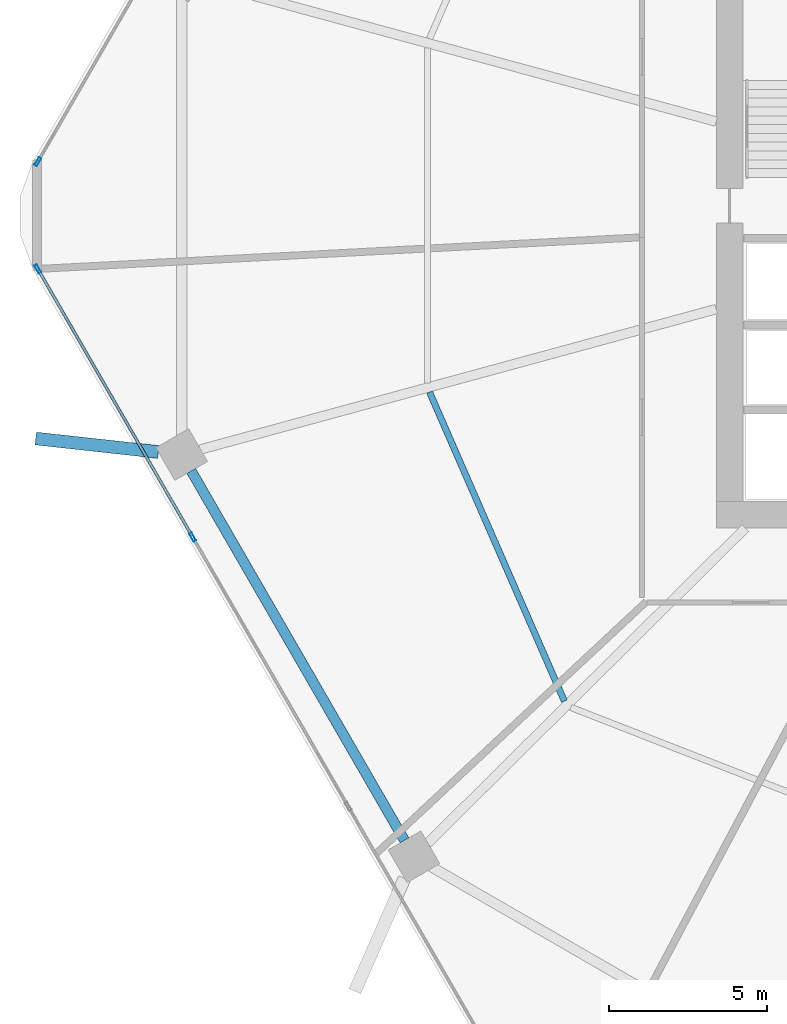
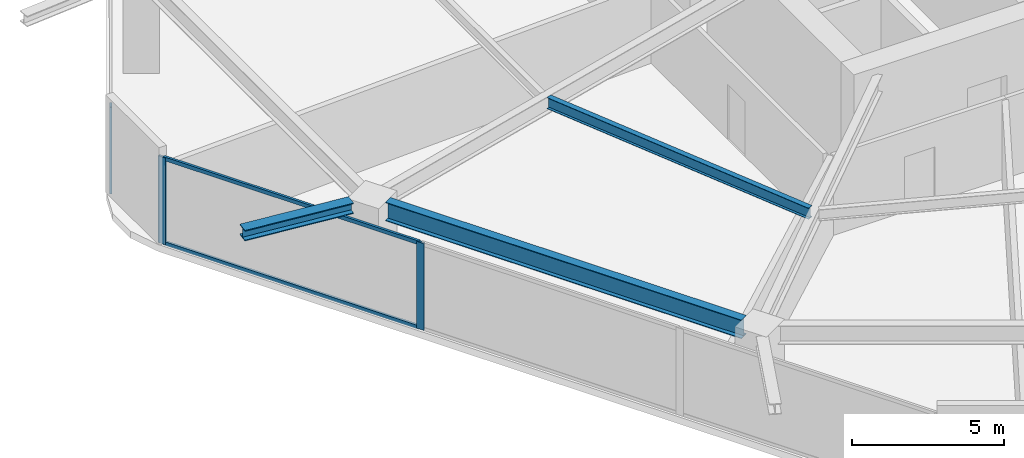
# One storey, part 5 of 25: 5 members, 3 beams, 2 elements without a shape of their own.
"""IFC4 building model written with IfcOpenShell, lengths in metres."""

from ifc_helpers import new_model, si_unit, direction, frame, origin, origin_2d, place, context, subcontext, project, spatial, hollow_rectangle, i_section, extrude, material, material_profile, profile_set, type_object, element, aggregate, save


model = new_model("IFC4")

# Units and contexts
model_context = context("Model", 3, precision=1e-05, world=origin(), true_north=direction((0.0, 1.0)))
body_context = subcontext(model_context, "Body", "Model", "MODEL_VIEW")
ifc_project = project(units=[si_unit("LENGTHUNIT", "METRE"), si_unit("AREAUNIT", "SQUARE_METRE"), si_unit("VOLUMEUNIT", "CUBIC_METRE"), si_unit("PLANEANGLEUNIT", "RADIAN"), si_unit("MASSUNIT", "GRAM", prefix="KILO")], contexts=[model_context])

# Site, building, storey
site_placement = place(None, origin())
site = spatial("IfcSite", under=ifc_project, at=site_placement, CompositionType="ELEMENT")
building_placement = place(site_placement, origin())
building = spatial("IfcBuilding", under=site, at=building_placement, Name="Zuhravey Tower", CompositionType="ELEMENT")
storey_placement = place(building_placement, frame((0.0, 0.0, 37.199951171875)))
storey = spatial("IfcBuildingStorey", under=building, at=storey_placement, Name="L09", CompositionType="ELEMENT", Elevation=37.199951171875)

# Curtain wall, members
ifc_material_1 = material(Name="Thermally broken anodised aluminium", Category="aluminium")
curtain_wall_type = type_object("IfcCurtainWallType", Name="School Low-E Unitised Curtain Wall CW1", PredefinedType="NOTDEFINED", material=ifc_material_1)
curtain_wall_1_placement = place(storey_placement, origin())
curtain_wall_1 = element("IfcCurtainWall", 1, at=curtain_wall_1_placement, inside=storey, type_object=curtain_wall_type, Name="L09 CW1 CW-L09-F4-1", PredefinedType="NOTDEFINED")
ifc_material_2 = material(Name="Anodised aluminium", Category="aluminium")
ifc_material_profile_1 = material_profile(ifc_material_2, hollow_rectangle(XDim=0.090087890625, YDim=0.284912109375, WallThickness=0.0048828125, at=origin_2d()), Name="ALU-RHS-90x285x5")
ifc_profile_set_1 = profile_set([ifc_material_profile_1], Name="Anodised aluminium")
member_type_1 = type_object("IfcMemberType", Name="Curtain-Wall Mullion 90x180", PredefinedType="MULLION", material=ifc_profile_set_1)
member_1_placement = place(storey_placement, frame((8.45458984375, 21.79296875, 0.0), z_axis=(0.0, 0.0, 1.0), x_axis=(-0.86602552265, -0.499999794119, 0.0)))
member_1 = element("IfcMember", 2, at=member_1_placement, type_object=member_type_1, Name="CW1 mullion 3", PredefinedType="MULLION", context=body_context, shape_type="SweptSolid", body=[
    extrude(hollow_rectangle(XDim=0.090087890625, YDim=0.284912109375, WallThickness=0.0048828125, at=origin_2d()), origin(), (0.0, 0.0, 1.0), 3.491943359375),
])
member_2_placement = place(storey_placement, frame((3.5439453125, 30.298583984375, 0.0), z_axis=(0.0, 0.0, 1.0), x_axis=(-0.86602552265, -0.499999794119, 0.0)))
member_2 = element("IfcMember", 3, at=member_2_placement, type_object=member_type_1, Name="CW1 mullion 4", PredefinedType="MULLION", context=body_context, shape_type="SweptSolid", body=[
    extrude(hollow_rectangle(XDim=0.090087890625, YDim=0.284912109375, WallThickness=0.0048828125, at=origin_2d()), origin(), (0.0, 0.0, 1.0), 3.491943359375),
])

# Curtain wall, member
curtain_wall_2_placement = place(storey_placement, origin())
curtain_wall_2 = element("IfcCurtainWall", 4, at=curtain_wall_2_placement, inside=storey, type_object=curtain_wall_type, Name="L09 CW1 CW-L09-F3-1", PredefinedType="NOTDEFINED")
member_3_placement = place(storey_placement, frame((3.5439453125, 33.701416015625, 0.0), z_axis=(0.0, 0.0, 1.0), x_axis=(-0.86602552265, 0.499999794119, 0.0)))
member_3 = element("IfcMember", 5, at=member_3_placement, type_object=member_type_1, Name="CW1 mullion 1", PredefinedType="MULLION", context=body_context, shape_type="SweptSolid", body=[
    extrude(hollow_rectangle(XDim=0.090087890625, YDim=0.284912109375, WallThickness=0.0048828125, at=origin_2d()), origin(), (0.0, 0.0, 1.0), 3.491943359375),
])
aggregate(curtain_wall_2, [member_3])

# Member
ifc_material_profile_2 = material_profile(ifc_material_2, hollow_rectangle(XDim=0.090087890625, YDim=0.14990234375, WallThickness=0.0048828125, at=origin_2d()), Name="ALU-RHS-90x150x5")
ifc_profile_set_2 = profile_set([ifc_material_profile_2], Name="Anodised aluminium")
member_type_2 = type_object("IfcMemberType", Name="Curtain-Wall Transom 90x150", PredefinedType="USERDEFINED", material=ifc_profile_set_2)
member_4_placement = place(storey_placement, frame((8.43212890625, 21.83203125, 0.045166015625), z_axis=(-0.500008393077, 0.866020557985, 0.0), x_axis=(-0.866020557985, -0.500008393077, 0.0)))
member_4 = element("IfcMember", 6, at=member_4_placement, type_object=member_type_2, Name="CW1 transom 3.1", ObjectType="TRANSOM", PredefinedType="USERDEFINED", context=body_context, shape_type="SweptSolid", body=[
    extrude(hollow_rectangle(XDim=0.090087890625, YDim=0.14990234375, WallThickness=0.0048828125, at=origin_2d()), origin(), (0.0, 0.0, 1.0), 9.731201171875),
])

member_5_placement = place(storey_placement, frame((8.43212890625, 21.83203125, 3.447021484375), z_axis=(-0.500008393077, 0.866020557985, 0.0), x_axis=(-0.866020557985, -0.500008393077, 0.0)))
member_5 = element("IfcMember", 7, at=member_5_placement, type_object=member_type_2, Name="CW1 transom 3.2", ObjectType="TRANSOM", PredefinedType="USERDEFINED", context=body_context, shape_type="SweptSolid", body=[
    extrude(hollow_rectangle(XDim=0.090087890625, YDim=0.14990234375, WallThickness=0.0048828125, at=origin_2d()), origin(), (0.0, 0.0, 1.0), 9.731201171875),
])

aggregate(curtain_wall_1, [member_1, member_2, member_4, member_5])

# Beams
ifc_material_3 = material(Name="Steel SM460", Category="steel")
ifc_material_profile_3 = material_profile(ifc_material_3, i_section(OverallWidth=0.406982421875, OverallDepth=0.427978515625, WebThickness=0.02001953125, FlangeThickness=0.034912109375, at=origin_2d()), Name="H-428x407x20x35")
ifc_profile_set_3 = profile_set([ifc_material_profile_3], Name="Steel SM460")
beam_type_1 = type_object("IfcBeamType", Name="Exoskeleton Node Tie Beam H428x407", PredefinedType="BEAM", material=ifc_profile_set_3)
beam_1_placement = place(storey_placement, frame((7.3671875, 24.490234375, 3.7060546875), z_axis=(-0.994007881498, 0.109308423825, 0.0), x_axis=(-0.109308423825, -0.994007881498, 0.0)))
element("IfcBeam", 8, at=beam_1_placement, inside=storey, type_object=beam_type_1, Name="L09 Exoskeleton Node Tie NT1-07", PredefinedType="BEAM", context=body_context, shape_type="SweptSolid", body=[
    extrude(i_section(OverallWidth=0.406982421875, OverallDepth=0.427978515625, WebThickness=0.02001953125, FlangeThickness=0.034912109375, at=origin_2d()), origin(), (0.0, 0.0, 1.0), 3.9130859375),
])
ifc_material_4 = material(Name="Steel SM355", Category="steel")
ifc_material_profile_4 = material_profile(ifc_material_4, i_section(OverallWidth=0.320068359375, OverallDepth=0.75, WebThickness=0.013916015625, FlangeThickness=0.02490234375, at=origin_2d()), Name="H-750x320x14x25")
ifc_profile_set_4 = profile_set([ifc_material_profile_4], Name="Steel SM355")
beam_type_2 = type_object("IfcBeamType", Name="Perimeter Ring Beam H750x320", PredefinedType="BEAM", material=ifc_profile_set_4)
beam_2_placement = place(storey_placement, frame((8.412353515625, 23.88623046875, 3.545166015625), z_axis=(0.499999877243, -0.866025474658, 0.0), x_axis=(0.866025474658, 0.499999877243, 0.0)))
element("IfcBeam", 9, at=beam_2_placement, inside=storey, type_object=beam_type_2, Name="L09 PB1 BM-L09-PB-07", PredefinedType="BEAM", context=body_context, shape_type="SweptSolid", body=[
    extrude(i_section(OverallWidth=0.320068359375, OverallDepth=0.75, WebThickness=0.013916015625, FlangeThickness=0.02490234375, at=origin_2d()), origin(), (0.0, 0.0, 1.0), 13.5341796875),
])
ifc_material_profile_5 = material_profile(ifc_material_4, i_section(OverallWidth=0.199951171875, OverallDepth=0.449951171875, WebThickness=0.009033203125, FlangeThickness=0.013916015625, at=origin_2d()), Name="H-450x200x9x14")
ifc_profile_set_5 = profile_set([ifc_material_profile_5], Name="Steel SM355")
beam_type_3 = type_object("IfcBeamType", Name="Secondary Floor Joist H450x200", PredefinedType="JOIST", material=ifc_profile_set_5)
beam_3_placement = place(storey_placement, frame((15.974609375, 26.39111328125, 3.695068359375), z_axis=(0.399923551578, -0.916548500022, 0.0), x_axis=(0.916548500022, 0.399923551578, 0.0)))
element("IfcBeam", 10, at=beam_3_placement, inside=storey, type_object=beam_type_3, Name="L09 SJ1 BM-L09-SJ-07-1", PredefinedType="JOIST", context=body_context, shape_type="SweptSolid", body=[
    extrude(i_section(OverallWidth=0.199951171875, OverallDepth=0.449951171875, WebThickness=0.009033203125, FlangeThickness=0.013916015625, at=origin_2d()), origin(), (0.0, 0.0, 1.0), 10.70263671875),
])

save(model, "model.ifc")
